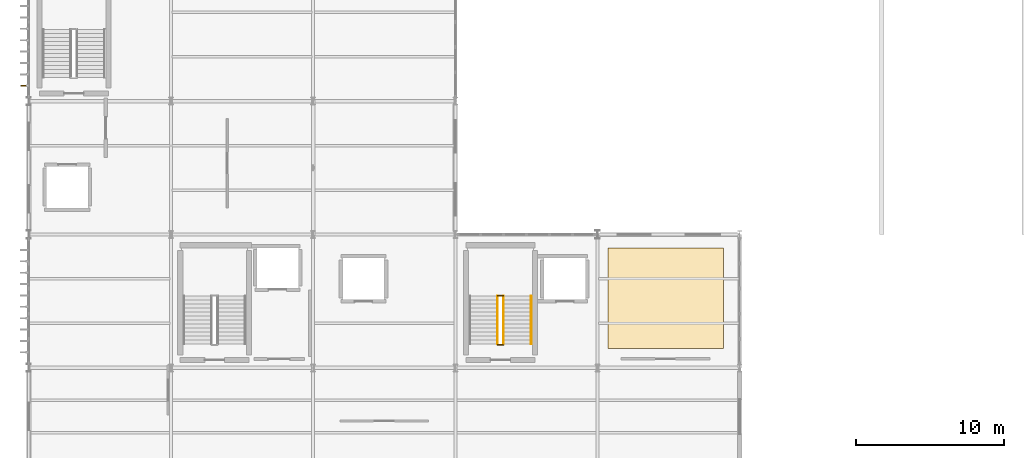
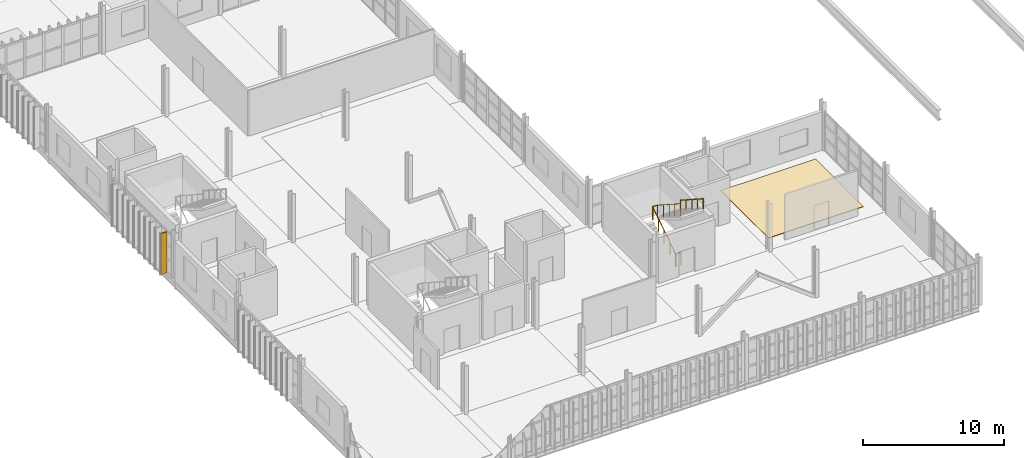
# One storey, part 48 of 52: 5 railings, 1 covering, 1 shading device.
"""IFC4 building model written with IfcOpenShell, lengths in metres."""

import ifcopenshell
import ifcopenshell.guid

model = None  # the IFC model being written
_history = None  # IfcOwnerHistory: only IFC2X3 demands one
_inside = {}  # id of a spatial element -> (the spatial element, [elements in it])
_under = {}  # id of a project, library or spatial element -> (it, [spatial elements below it])
_declared = {}  # id of a project -> (the project, [libraries it declares])
_typed = {}  # id of a type object -> (the type object, [elements of that type])
_made_of = {}  # id of a material, layer set ... -> (it, [elements and type objects made of it])


def new_model(schema):
    """Start an empty IFC model of exactly this schema.

    Asked for "IFC4X3", IfcOpenShell would pick the latest addendum, in which some entities
    have other attributes; the version numbers below select the first issue.
    IFC2X3 requires an IfcOwnerHistory on every rooted entity: one is made here for all.
    """
    global model, _history
    if schema == "IFC4X3":
        model = ifcopenshell.file(schema_version=(4, 3, 0, 0))
    else:
        model = ifcopenshell.file(schema=schema)
    _inside.clear()
    _under.clear()
    _declared.clear()
    _typed.clear()
    _made_of.clear()
    _history = None
    if model.schema == "IFC2X3":
        org = make("IfcOrganization", Name="unknown")
        user = make(
            "IfcPersonAndOrganization",
            ThePerson=make("IfcPerson", FamilyName="unknown"),
            TheOrganization=org,
        )
        app = make(
            "IfcApplication",
            ApplicationDeveloper=org,
            Version="unknown",
            ApplicationFullName="unknown",
            ApplicationIdentifier="unknown",
        )
        _history = make(
            "IfcOwnerHistory",
            OwningUser=user,
            OwningApplication=app,
            ChangeAction="ADDED",
            CreationDate=0,
        )
    return model


def make(cls, **values):
    """One entity of the class cls with the attributes given. An attribute that is None is left unset."""
    return model.create_entity(
        cls, **{name: value for name, value in values.items() if value is not None}
    )


def rooted(cls, **values):
    """An entity with a GlobalId (a new one), such as an element, a storey or a relation."""
    return make(cls, GlobalId=ifcopenshell.guid.new(), OwnerHistory=_history, **values)


def si_unit(unit_type, name, prefix=None):
    """IfcSIUnit, for example si_unit("LENGTHUNIT", "METRE", prefix="MILLI")."""
    return make("IfcSIUnit", UnitType=unit_type, Prefix=prefix, Name=name)


def assignment(units):
    """IfcUnitAssignment: the units of a project."""
    return None if units is None else make("IfcUnitAssignment", Units=units)


def point(xyz):
    """IfcCartesianPoint."""
    return None if xyz is None else make("IfcCartesianPoint", Coordinates=xyz)


def direction(xyz):
    """IfcDirection."""
    return None if xyz is None else make("IfcDirection", DirectionRatios=xyz)


def frame(location, z_axis=None, x_axis=None):
    """IfcAxis2Placement3D, a coordinate frame: its origin and axes. An axis left out is left unset."""
    return make(
        "IfcAxis2Placement3D",
        Location=point(location),
        Axis=direction(z_axis),
        RefDirection=direction(x_axis),
    )


def frame_2d(location, x_axis=None):
    """IfcAxis2Placement2D, a coordinate frame in the plane: its origin and x axis."""
    return make(
        "IfcAxis2Placement2D", Location=point(location), RefDirection=direction(x_axis)
    )


def origin():
    """The frame at (0, 0, 0) with its axes left unset."""
    return frame((0.0, 0.0, 0.0))


def origin_2d():
    """The frame at (0, 0) in the plane with its x axis left unset."""
    return frame_2d((0.0, 0.0))


def place(relative_to, where):
    """IfcLocalPlacement: puts the frame where relative to a parent placement (None: the world)."""
    return make(
        "IfcLocalPlacement", PlacementRelTo=relative_to, RelativePlacement=where
    )


def context(
    kind, dimensions, precision=None, world=None, true_north=None, identifier=None
):
    """IfcGeometricRepresentationContext, for example the 3D "Model" context."""
    return make(
        "IfcGeometricRepresentationContext",
        ContextIdentifier=identifier,
        ContextType=kind,
        CoordinateSpaceDimension=dimensions,
        Precision=precision,
        WorldCoordinateSystem=world,
        TrueNorth=true_north,
    )


def subcontext(parent, identifier, kind, view, scale=None):
    """IfcGeometricRepresentationSubContext, for example "Body" below "Model"."""
    return make(
        "IfcGeometricRepresentationSubContext",
        ContextIdentifier=identifier,
        ContextType=kind,
        ParentContext=parent,
        TargetScale=scale,
        TargetView=view,
    )


def project(units=None, contexts=None):
    """IfcProject with its units and contexts."""
    return rooted(
        "IfcProject",
        Name="project",
        RepresentationContexts=contexts,
        UnitsInContext=assignment(units),
    )


def spatial(cls, under=None, at=None, **own):
    """A site, building, storey or space (cls), placed at a placement, below another one or the project."""
    s = rooted(cls, ObjectPlacement=at, **own)
    if under is not None:
        _under.setdefault(under.id(), (under, []))[1].append(s)
    return s


def polyline(points):
    """IfcPolyline through the points."""
    return make("IfcPolyline", Points=[point(p) for p in points])


def profile(cls, at=None, kind="AREA", **sizes):
    """A parametric profile (cls). Its sizes go by their IFC names, for example OverallWidth=200.0."""
    return make(cls, ProfileType=kind, Position=at, **sizes)


def rectangle(**sizes):
    """IfcRectangleProfileDef."""
    return profile("IfcRectangleProfileDef", **sizes)


def circle(**sizes):
    """IfcCircleProfileDef."""
    return profile("IfcCircleProfileDef", **sizes)


def outline(outer, holes=None, kind="AREA"):
    """IfcArbitraryClosedProfileDef: a profile drawn as a closed curve; with holes, ...WithVoids."""
    if holes is None:
        return make("IfcArbitraryClosedProfileDef", ProfileType=kind, OuterCurve=outer)
    return make(
        "IfcArbitraryProfileDefWithVoids",
        ProfileType=kind,
        OuterCurve=outer,
        InnerCurves=holes,
    )


def extrude(swept, where, along, depth):
    """IfcExtrudedAreaSolid: the profile swept, set in the frame where, extruded along a direction by depth."""
    return make(
        "IfcExtrudedAreaSolid",
        SweptArea=swept,
        Position=where,
        ExtrudedDirection=direction(along),
        Depth=depth,
    )


def shape(context_of_items, identifier, shape_type, items):
    """IfcShapeRepresentation: the items that make up one representation, for example the "Body"."""
    return make(
        "IfcShapeRepresentation",
        ContextOfItems=context_of_items,
        RepresentationIdentifier=identifier,
        RepresentationType=shape_type,
        Items=items,
    )


def material(Name=None, Category=None):
    """IfcMaterial."""
    return make("IfcMaterial", Name=Name, Category=Category)


def layer(
    of_material, thickness, ventilated=None, Name=None, Category=None, Priority=None
):
    """IfcMaterialLayer: one layer of a wall or slab, of a material (None: an air gap)."""
    return make(
        "IfcMaterialLayer",
        Material=of_material,
        LayerThickness=thickness,
        IsVentilated=ventilated,
        Name=Name,
        Category=Category,
        Priority=Priority,
    )


def layer_set(layers, Name=None):
    """IfcMaterialLayerSet."""
    return make("IfcMaterialLayerSet", MaterialLayers=layers, LayerSetName=Name)


def made_of(thing, what):
    """Note that an element or type object is made of a material, layer set ...; save() writes the relation."""
    if what is not None:
        _made_of.setdefault(what.id(), (what, []))[1].append(thing)
    return thing


def type_object(cls, material=None, **own):
    """A type object (cls), such as IfcWallType, which elements share."""
    return made_of(rooted(cls, **own), material)


def element(
    cls,
    number,
    at=None,
    inside=None,
    cuts=None,
    type_object=None,
    material=None,
    context=None,
    identifier="Body",
    shape_type=None,
    held_by="IfcProductDefinitionShape",
    body=None,
    shapes=None,
    **own,
):
    """One element of the class cls, such as IfcWall. Its Tag is "e" and its number.

    at: its placement. inside: the storey or other place that contains it. cuts: it is an
    opening in that element (IfcRelVoidsElement). A single representation is given by context,
    identifier, shape_type and body (its items); several are given by shapes. held_by: the class
    of the entity that holds the representations. save() writes the other relations.
    """
    e = rooted(cls, Tag="e%d" % number, ObjectPlacement=at, **own)
    if body is not None:
        shapes = [shape(context, identifier, shape_type, body)]
    if shapes is not None:
        e.Representation = make(held_by, Representations=shapes)
    if inside is not None:
        _inside.setdefault(inside.id(), (inside, []))[1].append(e)
    if cuts is not None:
        rooted(
            "IfcRelVoidsElement", RelatingBuildingElement=cuts, RelatedOpeningElement=e
        )
    if type_object is not None:
        _typed.setdefault(type_object.id(), (type_object, []))[1].append(e)
    return made_of(e, material)


def aggregate(whole, parts):
    """IfcRelAggregates: a whole, such as a stair, and the parts it consists of."""
    return rooted("IfcRelAggregates", RelatingObject=whole, RelatedObjects=parts)


def save(model, path):
    """Write the relations noted so far, then the file.

    IfcRelAggregates (storeys below a building ...), IfcRelContainedInSpatialStructure (elements
    in a storey), IfcRelDefinesByType, IfcRelAssociatesMaterial and IfcRelDeclares: one each for
    every whole, place, type object, material and project.
    """
    for whole, parts in _under.values():
        aggregate(whole, parts)
    for where, things in _inside.values():
        rooted(
            "IfcRelContainedInSpatialStructure",
            RelatedElements=things,
            RelatingStructure=where,
        )
    for kind, things in _typed.values():
        rooted("IfcRelDefinesByType", RelatedObjects=things, RelatingType=kind)
    for what, things in _made_of.values():
        rooted("IfcRelAssociatesMaterial", RelatedObjects=things, RelatingMaterial=what)
    for by, libraries in _declared.values():
        rooted("IfcRelDeclares", RelatingContext=by, RelatedDefinitions=libraries)
    model.write(path)


model = new_model("IFC4")

# Units and contexts
model_context = context("Model", 3, precision=1e-05, world=origin(), true_north=direction((0.0, 1.0)))
body_context = subcontext(model_context, "Body", "Model", "MODEL_VIEW")
ifc_project = project(units=[si_unit("LENGTHUNIT", "METRE"), si_unit("AREAUNIT", "SQUARE_METRE"), si_unit("VOLUMEUNIT", "CUBIC_METRE"), si_unit("PLANEANGLEUNIT", "RADIAN"), si_unit("MASSUNIT", "GRAM", prefix="KILO")], contexts=[model_context])

# Site, building, storey
site_placement = place(None, origin())
site = spatial("IfcSite", under=ifc_project, at=site_placement, CompositionType="ELEMENT")
building_placement = place(site_placement, origin())
building = spatial("IfcBuilding", under=site, at=building_placement, Name="Zarnetskaya Central Station", CompositionType="ELEMENT")
storey_placement = place(building_placement, frame((0.0, 0.0, 14.39990234375)))
storey = spatial("IfcBuildingStorey", under=building, at=storey_placement, Name="L03", CompositionType="ELEMENT", Elevation=14.39990234375)

# Covering
ifc_material_1 = material(Name="Granite stone flooring", Category="masonry")
ifc_layer = layer(ifc_material_1, 0.0400390625, Name="Granite stone flooring", Category="masonry")
ifc_layer_set = layer_set([ifc_layer], Name="Granite stone flooring")
covering_type = type_object("IfcCoveringType", Name="COV-GRAN-FLR", PredefinedType="FLOORING", material=ifc_layer_set)
covering_placement = place(storey_placement, origin())
element("IfcCovering", 1, at=covering_placement, inside=storey, type_object=covering_type, Name="Granite terrazzo floor finish L03-511", PredefinedType="FLOORING", context=body_context, shape_type="SweptSolid", body=[
    extrude(outline(polyline([(39.10009765625, 14.5), (46.89990234375, 14.5), (46.89990234375, 21.300048828125), (39.10009765625, 21.300048828125), (39.10009765625, 14.5)])), origin(), (0.0, 0.0, 1.0), 0.0400390625),
])

# Railings
ifc_material_2 = material(Name="Steel S355", Category="steel")
railing_type_1 = type_object("IfcRailingType", Name="RAIL-HAND-900", PredefinedType="HANDRAIL", material=ifc_material_2)
railing_1_placement = place(storey_placement, frame((33.919921875, 18.0400390625, 2.10009765625)))
element("IfcRailing", 2, at=railing_1_placement, inside=storey, type_object=railing_type_1, Name="Stair ST-C3 L03 flight 2 handrail", PredefinedType="HANDRAIL", context=body_context, shape_type="SweptSolid", body=[
    extrude(circle(Radius=0.02392578125, at=origin_2d()), frame((0.0, 0.0, 0.8759765625), z_axis=(0.0, -0.839140694364, 0.543914418877), x_axis=(1.0, 0.0, 0.0)), (0.0, 0.0, 1.0), 3.861083984375),
    extrude(circle(Radius=0.02099609375, at=origin_2d()), origin(), (0.0, 0.0, 1.0), 0.851806640625),
    extrude(circle(Radius=0.02099609375, at=origin_2d()), frame((0.0, -0.81005859375, 0.52490234375)), (0.0, 0.0, 1.0), 0.851806640625),
    extrude(circle(Radius=0.02099609375, at=origin_2d()), frame((0.0, -1.6201171875, 1.050048828125)), (0.0, 0.0, 1.0), 0.851806640625),
    extrude(circle(Radius=0.02099609375, at=origin_2d()), frame((0.0, -2.429931640625, 1.5751953125)), (0.0, 0.0, 1.0), 0.851806640625),
    extrude(circle(Radius=0.02099609375, at=origin_2d()), frame((0.0, -3.239990234375, 2.10009765625)), (0.0, 0.0, 1.0), 0.851806640625),
])
railing_type_2 = type_object("IfcRailingType", Name="RAIL-STAIR-GRD", PredefinedType="BALUSTRADE", material=ifc_material_2)
railing_2_placement = place(storey_placement, frame((31.639892578125, 14.760009765625, 0.0)))
element("IfcRailing", 3, at=railing_2_placement, inside=storey, type_object=railing_type_2, Name="Stair ST-C3 L03 floor well guard", PredefinedType="BALUSTRADE", context=body_context, shape_type="SweptSolid", body=[
    extrude(circle(Radius=0.02392578125, at=origin_2d()), frame((0.0, 0.0, 1.09619140625), z_axis=(1.0, 0.0, 0.0), x_axis=(0.0, 1.0, 0.0)), (0.0, 0.0, 1.0), 0.420166015625),
    extrude(circle(Radius=0.02099609375, at=origin_2d()), origin(), (0.0, 0.0, 1.0), 1.072021484375),
    extrude(circle(Radius=0.02099609375, at=origin_2d()), frame((0.420166015625, 0.0, 0.0)), (0.0, 0.0, 1.0), 1.072021484375),
])
railing_3_placement = place(storey_placement, frame((31.639892578125, 14.800048828125, 0.0)))
element("IfcRailing", 4, at=railing_3_placement, inside=storey, type_object=railing_type_2, Name="Stair ST-C3 L03 flight 1 well guard", PredefinedType="BALUSTRADE", context=body_context, shape_type="SweptSolid", body=[
    extrude(circle(Radius=0.02392578125, at=origin_2d()), frame((0.0, 0.0, 1.09619140625), z_axis=(0.0, 0.839140694364, 0.543914418877), x_axis=(-1.0, 0.0, 0.0)), (0.0, 0.0, 1.0), 3.861083984375),
    extrude(circle(Radius=0.02099609375, at=origin_2d()), origin(), (0.0, 0.0, 1.0), 1.072021484375),
    extrude(circle(Radius=0.02099609375, at=origin_2d()), frame((0.0, 0.81005859375, 0.52490234375)), (0.0, 0.0, 1.0), 1.072021484375),
    extrude(circle(Radius=0.02099609375, at=origin_2d()), frame((0.0, 1.6201171875, 1.050048828125)), (0.0, 0.0, 1.0), 1.072021484375),
    extrude(circle(Radius=0.02099609375, at=origin_2d()), frame((0.0, 2.429931640625, 1.5751953125)), (0.0, 0.0, 1.0), 1.072021484375),
    extrude(circle(Radius=0.02099609375, at=origin_2d()), frame((0.0, 3.239990234375, 2.10009765625)), (0.0, 0.0, 1.0), 1.072021484375),
])
railing_4_placement = place(storey_placement, frame((31.639892578125, 18.06005859375, 2.10009765625)))
element("IfcRailing", 5, at=railing_4_placement, inside=storey, type_object=railing_type_2, Name="Stair ST-C3 L03 half-landing well guard", PredefinedType="BALUSTRADE", context=body_context, shape_type="SweptSolid", body=[
    extrude(circle(Radius=0.02392578125, at=origin_2d()), frame((0.0, 0.0, 1.09619140625), z_axis=(1.0, 0.0, 0.0), x_axis=(0.0, 1.0, 0.0)), (0.0, 0.0, 1.0), 0.420166015625),
    extrude(circle(Radius=0.02099609375, at=origin_2d()), origin(), (0.0, 0.0, 1.0), 1.072021484375),
    extrude(circle(Radius=0.02099609375, at=origin_2d()), frame((0.420166015625, 0.0, 0.0)), (0.0, 0.0, 1.0), 1.072021484375),
])
railing_5_placement = place(storey_placement, frame((32.06005859375, 18.0400390625, 2.10009765625)))
element("IfcRailing", 6, at=railing_5_placement, inside=storey, type_object=railing_type_2, Name="Stair ST-C3 L03 flight 2 well guard", PredefinedType="BALUSTRADE", context=body_context, shape_type="SweptSolid", body=[
    extrude(circle(Radius=0.02392578125, at=origin_2d()), frame((0.0, 0.0, 1.09619140625), z_axis=(0.0, -0.839140694364, 0.543914418877), x_axis=(1.0, 0.0, 0.0)), (0.0, 0.0, 1.0), 3.861083984375),
    extrude(circle(Radius=0.02099609375, at=origin_2d()), origin(), (0.0, 0.0, 1.0), 1.072021484375),
    extrude(circle(Radius=0.02099609375, at=origin_2d()), frame((0.0, -0.81005859375, 0.52490234375)), (0.0, 0.0, 1.0), 1.072021484375),
    extrude(circle(Radius=0.02099609375, at=origin_2d()), frame((0.0, -1.6201171875, 1.050048828125)), (0.0, 0.0, 1.0), 1.072021484375),
    extrude(circle(Radius=0.02099609375, at=origin_2d()), frame((0.0, -2.429931640625, 1.5751953125)), (0.0, 0.0, 1.0), 1.072021484375),
    extrude(circle(Radius=0.02099609375, at=origin_2d()), frame((0.0, -3.239990234375, 2.10009765625)), (0.0, 0.0, 1.0), 1.072021484375),
])

# Shading device
ifc_material_3 = material(Name="Larch glulam GL28h", Category="wood")
shading_device_type = type_object("IfcShadingDeviceType", Name="SHD-LARCH-FIN-A", PredefinedType="USERDEFINED", material=ifc_material_3)
shading_device_placement = place(storey_placement, frame((-0.320068359375, 32.2431640625, 0.0), z_axis=(0.0, 0.0, 1.0), x_axis=(0.0, 1.0, 0.0)))
element("IfcShadingDevice", 7, at=shading_device_placement, inside=storey, type_object=shading_device_type, Name="Vertical larch timber fin CW-L03-033-01", ObjectType="TIMBER FIN", PredefinedType="USERDEFINED", context=body_context, shape_type="SweptSolid", body=[
    extrude(rectangle(XDim=0.090087890625, YDim=0.4599609375, at=origin_2d()), origin(), (0.0, 0.0, 1.0), 3.56005859375),
])

save(model, "model.ifc")
